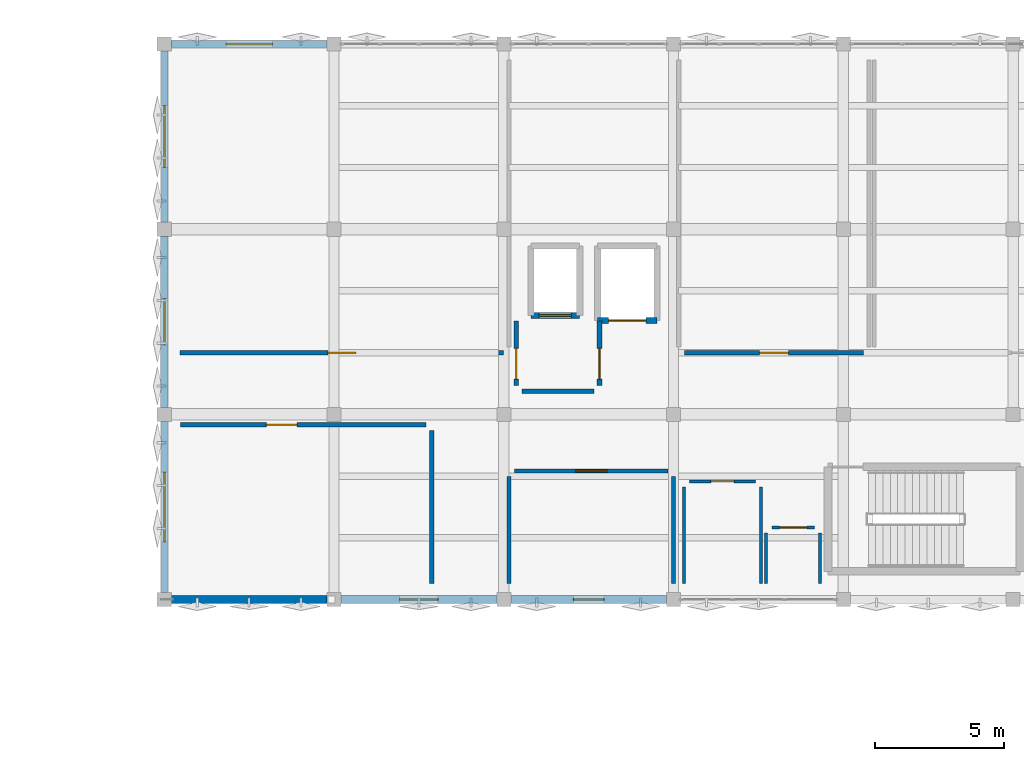
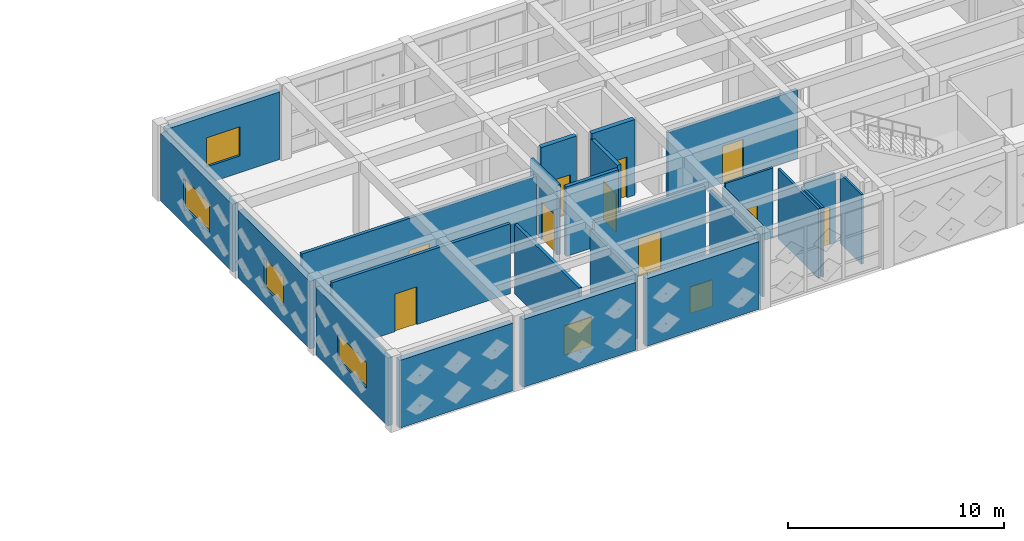
# One storey, part 29 of 36: 25 walls, 10 doors, 6 windows, 16 openings.
"""IFC4 building model written with IfcOpenShell, lengths in metres."""

from ifc_helpers import new_model, si_unit, direction, frame, frame_2d, origin, place, context, subcontext, project, spatial, rectangle, extrude, material, layer, layer_set, type_object, element, fill, save


model = new_model("IFC4")

# Units and contexts
model_context = context("Model", 3, precision=1e-05, world=origin(), true_north=direction((0.0, 1.0)))
body_context = subcontext(model_context, "Body", "Model", "MODEL_VIEW")
ifc_project = project(units=[si_unit("LENGTHUNIT", "METRE"), si_unit("AREAUNIT", "SQUARE_METRE"), si_unit("VOLUMEUNIT", "CUBIC_METRE"), si_unit("PLANEANGLEUNIT", "RADIAN"), si_unit("MASSUNIT", "GRAM", prefix="KILO")], contexts=[model_context])

# Site, building, storey
site_placement = place(None, origin())
site = spatial("IfcSite", under=ifc_project, at=site_placement, CompositionType="ELEMENT")
building_placement = place(site_placement, origin())
building = spatial("IfcBuilding", under=site, at=building_placement, Name="Kharisveld Research Institute", CompositionType="ELEMENT")
storey_placement = place(building_placement, frame((0.0, 0.0, 27.60009765625)))
storey = spatial("IfcBuildingStorey", under=building, at=storey_placement, Name="L06", CompositionType="ELEMENT", Elevation=27.60009765625)

# Wall, opening, door
ifc_material_1 = material(Name="Concrete C40/50", Category="concrete")
ifc_layer_1 = layer(ifc_material_1, 0.239990234375)
ifc_layer_set_1 = layer_set([ifc_layer_1], Name="WL_CORE_240")
wall_type_1 = type_object("IfcWallType", Name="WL_CORE_240", PredefinedType="SHEAR", material=ifc_layer_set_1)
wall_1_placement = place(storey_placement, frame((137.35009765625, 50.25, 0.0), z_axis=(0.0, 0.0, 1.0), x_axis=(-1.0, 0.0, 0.0)))
wall_1 = element("IfcWall", 1, at=wall_1_placement, inside=storey, type_object=wall_type_1, Name="WL:LFT:FFL-02:L06:S", PredefinedType="SHEAR", context=body_context, shape_type="SweptSolid", body=[
    extrude(rectangle(XDim=1.900146484375, YDim=0.239990234375, at=frame_2d((0.9501953125, 0.0))), origin(), (0.0, 0.0, 1.0), 4.27978515625),
])
opening_1_placement = place(wall_1_placement, frame((0.324951171875, 0.0, 0.0)))
opening_1 = element("IfcOpeningElement", 2, at=opening_1_placement, cuts=wall_1, Name="Opening LD-02", PredefinedType="OPENING", context=body_context, shape_type="SweptSolid", body=[
    extrude(rectangle(XDim=1.25, YDim=2.199951171875, at=frame_2d((0.625, 1.10009765625))), frame((0.0, 0.1201171875, 0.0), z_axis=(0.0, -1.0, 0.0), x_axis=(1.0, 0.0, 0.0)), (0.0, 0.0, 1.0), 0.239990234375),
])
ifc_material_2 = material(Name="Flush Painted Hardwood and Anodised Aluminium", Category="wood")
door_type_1 = type_object("IfcDoorType", Name="DR_LFT_125", OperationType="SLIDING_TO_RIGHT", PredefinedType="DOOR", material=ifc_material_2)
door_1_placement = place(opening_1_placement, origin())
door_1 = element("IfcDoor", 3, at=door_1_placement, inside=storey, type_object=door_type_1, Name="FFL-02 Lift Landing Door L06", OperationType="SLIDING_TO_RIGHT", OverallHeight=2.199951171875, OverallWidth=1.25, PredefinedType="DOOR", context=body_context, shape_type="SweptSolid", body=[
    extrude(rectangle(XDim=1.25, YDim=2.199951171875, at=frame_2d((0.625, 1.10009765625))), frame((0.0, 0.02490234375, 0.0), z_axis=(0.0, -1.0, 0.0), x_axis=(1.0, 0.0, 0.0)), (0.0, 0.0, 1.0), 0.050048828125),
])
fill(opening_1, door_1)

wall_2_placement = place(storey_placement, frame((140.35009765625, 50.050048828125, 0.0), z_axis=(0.0, 0.0, 1.0), x_axis=(-1.0, 0.0, 0.0)))
wall_2 = element("IfcWall", 4, at=wall_2_placement, inside=storey, type_object=wall_type_1, Name="WL:LFT:GL-01:L06:S", PredefinedType="SHEAR", context=body_context, shape_type="SweptSolid", body=[
    extrude(rectangle(XDim=2.300048828125, YDim=0.239990234375, at=frame_2d((1.14990234375, 0.0))), origin(), (0.0, 0.0, 1.0), 4.27978515625),
])
opening_2_placement = place(wall_2_placement, frame((0.425048828125, 0.0, 0.0)))
opening_2 = element("IfcOpeningElement", 5, at=opening_2_placement, cuts=wall_2, Name="Opening LD-03", PredefinedType="OPENING", context=body_context, shape_type="SweptSolid", body=[
    extrude(rectangle(XDim=1.449951171875, YDim=2.300048828125, at=frame_2d((0.72509765625, 1.14990234375))), frame((0.0, 0.1201171875, 0.0), z_axis=(0.0, -1.0, 0.0), x_axis=(1.0, 0.0, 0.0)), (0.0, 0.0, 1.0), 0.239990234375),
])
ifc_material_3 = material(Name="Flush Painted Hardwood and Anodised Aluminium", Category="wood")
door_type_2 = type_object("IfcDoorType", Name="DR_LFT_145", OperationType="DOUBLE_DOOR_SLIDING", PredefinedType="DOOR", material=ifc_material_3)
door_2_placement = place(opening_2_placement, origin())
door_2 = element("IfcDoor", 6, at=door_2_placement, inside=storey, type_object=door_type_2, Name="GL-01 Lift Landing Door L06", OperationType="DOUBLE_DOOR_SLIDING", OverallHeight=2.300048828125, OverallWidth=1.449951171875, PredefinedType="DOOR", context=body_context, shape_type="SweptSolid", body=[
    extrude(rectangle(XDim=1.449951171875, YDim=2.300048828125, at=frame_2d((0.72509765625, 1.14990234375))), frame((0.0, 0.02490234375, 0.0), z_axis=(0.0, -1.0, 0.0), x_axis=(1.0, 0.0, 0.0)), (0.0, 0.0, 1.0), 0.050048828125),
])
fill(opening_2, door_2)

# Wall, opening, window
ifc_material_4 = material(Name="Lightweight Acoustic Spandrel", Category="mineral")
ifc_layer_2 = layer(ifc_material_4, 0.2451171875)
ifc_layer_set_2 = layer_set([ifc_layer_2], Name="WL_EXT_245")
wall_type_2 = type_object("IfcWallType", Name="WL_EXT_245", PredefinedType="STANDARD", material=ifc_layer_set_2)
wall_3_placement = place(storey_placement, frame((121.199951171875, 39.469970703125, 0.0), z_axis=(0.0, 0.0, 1.0), x_axis=(0.0, 1.0, 0.0)))
wall_3 = element("IfcWall", 7, at=wall_3_placement, inside=storey, type_object=wall_type_2, Name="WL:V2:L06:W0", PredefinedType="STANDARD", context=body_context, shape_type="SweptSolid", body=[
    extrude(rectangle(XDim=6.659912109375, YDim=0.2451171875, at=frame_2d((3.330078125, 0.0))), origin(), (0.0, 0.0, 1.0), 3.8349609375),
])
opening_3_placement = place(wall_3_placement, frame((1.969970703125, 0.0, 0.949951171875)))
opening_3 = element("IfcOpeningElement", 8, at=opening_3_placement, cuts=wall_3, Name="Opening WN-38", PredefinedType="OPENING", context=body_context, shape_type="SweptSolid", body=[
    extrude(rectangle(XDim=2.719970703125, YDim=1.43994140625, at=frame_2d((1.35986328125, 0.719970703125))), frame((0.0, 0.12255859375, 0.0), z_axis=(0.0, -1.0, 0.0), x_axis=(1.0, 0.0, 0.0)), (0.0, 0.0, 1.0), 0.2451171875),
])
ifc_material_5 = material(Name="Low-E Double Glazing", Category="glass")
window_type_1 = type_object("IfcWindowType", Name="WN_38", PartitioningType="DOUBLE_PANEL_VERTICAL", PredefinedType="WINDOW", material=ifc_material_5)
window_1_placement = place(opening_3_placement, origin())
window_1 = element("IfcWindow", 9, at=window_1_placement, inside=storey, type_object=window_type_1, Name="WN:V2:L06:W0", OverallHeight=1.43994140625, OverallWidth=2.719970703125, PartitioningType="SINGLE_PANEL", PredefinedType="WINDOW", context=body_context, shape_type="SweptSolid", body=[
    extrude(rectangle(XDim=2.719970703125, YDim=1.43994140625, at=frame_2d((1.35986328125, 0.719970703125))), frame((0.0, 0.030029296875, 0.0), z_axis=(0.0, -1.0, 0.0), x_axis=(1.0, 0.0, 0.0)), (0.0, 0.0, 1.0), 0.06005859375),
])
fill(opening_3, window_1)

ifc_material_6 = material(Name="Precast Concrete C40/50 Thermal Wall", Category="concrete")
ifc_layer_3 = layer(ifc_material_6, 0.27490234375)
ifc_layer_set_3 = layer_set([ifc_layer_3], Name="WL_EXT_275")
wall_type_3 = type_object("IfcWallType", Name="WL_EXT_275", PredefinedType="STANDARD", material=ifc_layer_set_3)
wall_4_placement = place(storey_placement, frame((121.199951171875, 53.8701171875, 0.0), z_axis=(0.0, 0.0, 1.0), x_axis=(0.0, 1.0, 0.0)))
wall_4 = element("IfcWall", 10, at=wall_4_placement, inside=storey, type_object=wall_type_3, Name="WL:V2:L06:W2", PredefinedType="STANDARD", context=body_context, shape_type="SweptSolid", body=[
    extrude(rectangle(XDim=6.659912109375, YDim=0.27490234375, at=frame_2d((3.330078125, 0.0))), origin(), (0.0, 0.0, 1.0), 3.8349609375),
])
opening_4_placement = place(wall_4_placement, frame((2.1298828125, 0.0, 0.949951171875)))
opening_4 = element("IfcOpeningElement", 11, at=opening_4_placement, cuts=wall_4, Name="Opening WN-02", PredefinedType="OPENING", context=body_context, shape_type="SweptSolid", body=[
    extrude(rectangle(XDim=2.39990234375, YDim=1.64990234375, at=frame_2d((1.199951171875, 0.824951171875))), frame((0.0, 0.137451171875, 0.0), z_axis=(0.0, -1.0, 0.0), x_axis=(1.0, 0.0, 0.0)), (0.0, 0.0, 1.0), 0.27490234375),
])
ifc_material_7 = material(Name="Low-E Double Glazing", Category="glass")
window_type_2 = type_object("IfcWindowType", Name="WN_02", PartitioningType="TRIPLE_PANEL_VERTICAL", PredefinedType="WINDOW", material=ifc_material_7)
window_2_placement = place(opening_4_placement, origin())
window_2 = element("IfcWindow", 12, at=window_2_placement, inside=storey, type_object=window_type_2, Name="WN:V2:L06:W2", OverallHeight=1.64990234375, OverallWidth=2.39990234375, PartitioningType="SINGLE_PANEL", PredefinedType="WINDOW", context=body_context, shape_type="SweptSolid", body=[
    extrude(rectangle(XDim=2.39990234375, YDim=1.64990234375, at=frame_2d((1.199951171875, 0.824951171875))), frame((0.0, 0.030029296875, 0.0), z_axis=(0.0, -1.0, 0.0), x_axis=(1.0, 0.0, 0.0)), (0.0, 0.0, 1.0), 0.06005859375),
])
fill(opening_4, window_2)

ifc_material_8 = material(Name="Precast Concrete C40/50 Thermal Wall", Category="concrete")
ifc_layer_4 = layer(ifc_material_8, 0.2900390625)
ifc_layer_set_4 = layer_set([ifc_layer_4], Name="WL_EXT_290")
wall_type_4 = type_object("IfcWallType", Name="WL_EXT_290", PredefinedType="STANDARD", material=ifc_layer_set_4)
wall_5_placement = place(storey_placement, frame((121.199951171875, 46.669921875, 0.0), z_axis=(0.0, 0.0, 1.0), x_axis=(0.0, 1.0, 0.0)))
wall_5 = element("IfcWall", 13, at=wall_5_placement, inside=storey, type_object=wall_type_4, Name="WL:V2:L06:W1", PredefinedType="STANDARD", context=body_context, shape_type="SweptSolid", body=[
    extrude(rectangle(XDim=6.66015625, YDim=0.2900390625, at=frame_2d((3.330078125, 0.0))), origin(), (0.0, 0.0, 1.0), 3.8349609375),
])
opening_5_placement = place(wall_5_placement, frame((2.429931640625, 0.0, 0.949951171875)))
opening_5 = element("IfcOpeningElement", 14, at=opening_5_placement, cuts=wall_5, Name="Opening WN-01", PredefinedType="OPENING", context=body_context, shape_type="SweptSolid", body=[
    extrude(rectangle(XDim=1.800048828125, YDim=1.64990234375, at=frame_2d((0.89990234375, 0.824951171875))), frame((0.0, 0.14501953125, 0.0), z_axis=(0.0, -1.0, 0.0), x_axis=(1.0, 0.0, 0.0)), (0.0, 0.0, 1.0), 0.2900390625),
])
ifc_material_9 = material(Name="Low-E Double Glazing", Category="glass")
window_type_3 = type_object("IfcWindowType", Name="WN_01", PartitioningType="DOUBLE_PANEL_VERTICAL", PredefinedType="WINDOW", material=ifc_material_9)
window_3_placement = place(opening_5_placement, origin())
window_3 = element("IfcWindow", 15, at=window_3_placement, inside=storey, type_object=window_type_3, Name="WN:V2:L06:W1", OverallHeight=1.64990234375, OverallWidth=1.800048828125, PartitioningType="SINGLE_PANEL", PredefinedType="WINDOW", context=body_context, shape_type="SweptSolid", body=[
    extrude(rectangle(XDim=1.800048828125, YDim=1.64990234375, at=frame_2d((0.89990234375, 0.824951171875))), frame((0.0, 0.030029296875, 0.0), z_axis=(0.0, -1.0, 0.0), x_axis=(1.0, 0.0, 0.0)), (0.0, 0.0, 1.0), 0.06005859375),
])
fill(opening_5, window_3)

wall_6_placement = place(storey_placement, frame((121.469970703125, 60.800048828125, 0.0), z_axis=(0.0, 0.0, 1.0), x_axis=(1.0, 0.0, 0.0)))
wall_6 = element("IfcWall", 16, at=wall_6_placement, inside=storey, type_object=wall_type_4, Name="WL:V2:L06:N1", PredefinedType="STANDARD", context=body_context, shape_type="SweptSolid", body=[
    extrude(rectangle(XDim=6.06005859375, YDim=0.2900390625, at=frame_2d((3.030029296875, 0.0))), origin(), (0.0, 0.0, 1.0), 3.8349609375),
])
opening_6_placement = place(wall_6_placement, frame((2.1298828125, 0.0, 0.949951171875)))
opening_6 = element("IfcOpeningElement", 17, at=opening_6_placement, cuts=wall_6, Name="Opening WN-01", PredefinedType="OPENING", context=body_context, shape_type="SweptSolid", body=[
    extrude(rectangle(XDim=1.800048828125, YDim=1.64990234375, at=frame_2d((0.89990234375, 0.824951171875))), frame((0.0, 0.14501953125, 0.0), z_axis=(0.0, -1.0, 0.0), x_axis=(1.0, 0.0, 0.0)), (0.0, 0.0, 1.0), 0.2900390625),
])
window_4_placement = place(opening_6_placement, origin())
window_4 = element("IfcWindow", 18, at=window_4_placement, inside=storey, type_object=window_type_3, Name="WN:V2:L06:N1", OverallHeight=1.64990234375, OverallWidth=1.800048828125, PartitioningType="SINGLE_PANEL", PredefinedType="WINDOW", context=body_context, shape_type="SweptSolid", body=[
    extrude(rectangle(XDim=1.800048828125, YDim=1.64990234375, at=frame_2d((0.89990234375, 0.824951171875))), frame((0.0, 0.030029296875, 0.0), z_axis=(0.0, -1.0, 0.0), x_axis=(1.0, 0.0, 0.0)), (0.0, 0.0, 1.0), 0.06005859375),
])
fill(opening_6, window_4)

ifc_material_10 = material(Name="Precast Concrete C40/50 Ochre Panel", Category="concrete")
ifc_layer_5 = layer(ifc_material_10, 0.304931640625)
ifc_layer_set_5 = layer_set([ifc_layer_5], Name="WL_EXT_305")
wall_type_5 = type_object("IfcWallType", Name="WL_EXT_305", PredefinedType="STANDARD", material=ifc_layer_set_5)
wall_7_placement = place(storey_placement, frame((140.72998046875, 39.199951171875, 0.0), z_axis=(0.0, 0.0, 1.0), x_axis=(-1.0, 0.0, 0.0)))
wall_7 = element("IfcWall", 19, at=wall_7_placement, inside=storey, type_object=wall_type_5, Name="WL:V2:L06:S4", PredefinedType="STANDARD", context=body_context, shape_type="SweptSolid", body=[
    extrude(rectangle(XDim=6.06005859375, YDim=0.304931640625, at=frame_2d((3.030029296875, 0.0))), origin(), (0.0, 0.0, 1.0), 3.8349609375),
])
opening_7_placement = place(wall_7_placement, frame((2.429931640625, 0.0, 0.949951171875)))
opening_7 = element("IfcOpeningElement", 20, at=opening_7_placement, cuts=wall_7, Name="Opening WN-04", PredefinedType="OPENING", context=body_context, shape_type="SweptSolid", body=[
    extrude(rectangle(XDim=1.199951171875, YDim=1.5, at=frame_2d((0.60009765625, 0.75))), frame((0.0, 0.15234375, 0.0), z_axis=(0.0, -1.0, 0.0), x_axis=(1.0, 0.0, 0.0)), (0.0, 0.0, 1.0), 0.304931640625),
])
ifc_material_11 = material(Name="Low-E Double Glazing", Category="glass")
window_type_4 = type_object("IfcWindowType", Name="WN_04", PartitioningType="SINGLE_PANEL", PredefinedType="WINDOW", material=ifc_material_11)
window_5_placement = place(opening_7_placement, origin())
window_5 = element("IfcWindow", 21, at=window_5_placement, inside=storey, type_object=window_type_4, Name="WN:V2:L06:S4", OverallHeight=1.5, OverallWidth=1.199951171875, PartitioningType="SINGLE_PANEL", PredefinedType="WINDOW", context=body_context, shape_type="SweptSolid", body=[
    extrude(rectangle(XDim=1.199951171875, YDim=1.5, at=frame_2d((0.60009765625, 0.75))), frame((0.0, 0.030029296875, 0.0), z_axis=(0.0, -1.0, 0.0), x_axis=(1.0, 0.0, 0.0)), (0.0, 0.0, 1.0), 0.06005859375),
])
fill(opening_7, window_5)

wall_8_placement = place(storey_placement, frame((134.1298828125, 39.199951171875, 0.0), z_axis=(0.0, 0.0, 1.0), x_axis=(-1.0, 0.0, 0.0)))
wall_8 = element("IfcWall", 22, at=wall_8_placement, inside=storey, type_object=wall_type_5, Name="WL:V2:L06:S3", PredefinedType="STANDARD", context=body_context, shape_type="SweptSolid", body=[
    extrude(rectangle(XDim=6.059814453125, YDim=0.304931640625, at=frame_2d((3.02978515625, 0.0))), origin(), (0.0, 0.0, 1.0), 3.8349609375),
])
opening_8_placement = place(wall_8_placement, frame((2.280029296875, 0.0, 0.949951171875)))
opening_8 = element("IfcOpeningElement", 23, at=opening_8_placement, cuts=wall_8, Name="Opening WN-03", PredefinedType="OPENING", context=body_context, shape_type="SweptSolid", body=[
    extrude(rectangle(XDim=1.5, YDim=1.64990234375, at=frame_2d((0.75, 0.824951171875))), frame((0.0, 0.15234375, 0.0), z_axis=(0.0, -1.0, 0.0), x_axis=(1.0, 0.0, 0.0)), (0.0, 0.0, 1.0), 0.304931640625),
])
ifc_material_12 = material(Name="Low-E Double Glazing", Category="glass")
window_type_5 = type_object("IfcWindowType", Name="WN_03", PartitioningType="DOUBLE_PANEL_VERTICAL", PredefinedType="WINDOW", material=ifc_material_12)
window_6_placement = place(opening_8_placement, origin())
window_6 = element("IfcWindow", 24, at=window_6_placement, inside=storey, type_object=window_type_5, Name="WN:V2:L06:S3", OverallHeight=1.64990234375, OverallWidth=1.5, PartitioningType="SINGLE_PANEL", PredefinedType="WINDOW", context=body_context, shape_type="SweptSolid", body=[
    extrude(rectangle(XDim=1.5, YDim=1.64990234375, at=frame_2d((0.75, 0.824951171875))), frame((0.0, 0.030029296875, 0.0), z_axis=(0.0, -1.0, 0.0), x_axis=(1.0, 0.0, 0.0)), (0.0, 0.0, 1.0), 0.06005859375),
])
fill(opening_8, window_6)

# Wall
wall_9_placement = place(storey_placement, frame((127.530029296875, 39.199951171875, 0.0), z_axis=(0.0, 0.0, 1.0), x_axis=(-1.0, 0.0, 0.0)))
element("IfcWall", 25, at=wall_9_placement, inside=storey, type_object=wall_type_5, Name="WL:V2:L06:S2", PredefinedType="STANDARD", context=body_context, shape_type="SweptSolid", body=[
    extrude(rectangle(XDim=6.06005859375, YDim=0.304931640625, at=frame_2d((3.030029296875, 0.0))), origin(), (0.0, 0.0, 1.0), 3.8349609375),
])

# Wall, opening, door
ifc_material_13 = material(Name="Acoustic Drywall Partition", Category="mineral")
ifc_layer_6 = layer(ifc_material_13, 0.1650390625)
ifc_layer_set_6 = layer_set([ifc_layer_6], Name="WL_LAB_165")
wall_type_6 = type_object("IfcWallType", Name="WL_LAB_165", PredefinedType="PARTITIONING", material=ifc_layer_set_6)
wall_10_placement = place(storey_placement, frame((121.820068359375, 48.800048828125, 0.0), z_axis=(0.0, 0.0, 1.0), x_axis=(1.0, 0.0, 0.0)))
wall_10 = element("IfcWall", 26, at=wall_10_placement, inside=storey, type_object=wall_type_6, Name="WL:RM:V2:L06:WLA:S", PredefinedType="PARTITIONING", context=body_context, shape_type="SweptSolid", body=[
    extrude(rectangle(XDim=12.559814453125, YDim=0.1650390625, at=frame_2d((6.27978515625, 0.0))), origin(), (0.0, 0.0, 1.0), 3.885009765625),
])
opening_9_placement = place(wall_10_placement, frame((5.735107421875, 0.0, 0.0)))
opening_9 = element("IfcOpeningElement", 27, at=opening_9_placement, cuts=wall_10, Name="Opening DI-247", PredefinedType="OPENING", context=body_context, shape_type="SweptSolid", body=[
    extrude(rectangle(XDim=1.090087890625, YDim=2.080078125, at=frame_2d((0.544921875, 1.0400390625))), frame((0.0, 0.08251953125, 0.0), z_axis=(0.0, -1.0, 0.0), x_axis=(1.0, 0.0, 0.0)), (0.0, 0.0, 1.0), 0.1650390625),
])
ifc_material_14 = material(Name="Flush Painted Hardwood and Anodised Aluminium", Category="wood")
door_type_3 = type_object("IfcDoorType", Name="DR_VAR_07", OperationType="NOTDEFINED", PredefinedType="DOOR", material=ifc_material_14)
door_3_placement = place(opening_9_placement, origin())
door_3 = element("IfcDoor", 28, at=door_3_placement, inside=storey, type_object=door_type_3, Name="DR:RM:V2:L06:WLA:S", OperationType="SINGLE_SWING_LEFT", OverallHeight=2.080078125, OverallWidth=1.090087890625, PredefinedType="DOOR", context=body_context, shape_type="SweptSolid", body=[
    extrude(rectangle(XDim=1.090087890625, YDim=2.080078125, at=frame_2d((0.544921875, 1.0400390625))), frame((0.0, 0.02490234375, 0.0), z_axis=(0.0, -1.0, 0.0), x_axis=(1.0, 0.0, 0.0)), (0.0, 0.0, 1.0), 0.050048828125),
])
fill(opening_9, door_3)

wall_11_placement = place(storey_placement, frame((141.419921875, 48.800048828125, 0.0), z_axis=(0.0, 0.0, 1.0), x_axis=(1.0, 0.0, 0.0)))
wall_11 = element("IfcWall", 29, at=wall_11_placement, inside=storey, type_object=wall_type_6, Name="WL:RM:V2:L06:WLB:S", PredefinedType="PARTITIONING", context=body_context, shape_type="SweptSolid", body=[
    extrude(rectangle(XDim=6.9599609375, YDim=0.1650390625, at=frame_2d((3.47998046875, 0.0))), origin(), (0.0, 0.0, 1.0), 3.885009765625),
])
opening_10_placement = place(wall_11_placement, frame((2.919921875, 0.0, 0.0)))
opening_10 = element("IfcOpeningElement", 30, at=opening_10_placement, cuts=wall_11, Name="Opening DI-248", PredefinedType="OPENING", context=body_context, shape_type="SweptSolid", body=[
    extrude(rectangle(XDim=1.1201171875, YDim=2.10009765625, at=frame_2d((0.56005859375, 1.050048828125))), frame((0.0, 0.08251953125, 0.0), z_axis=(0.0, -1.0, 0.0), x_axis=(1.0, 0.0, 0.0)), (0.0, 0.0, 1.0), 0.1650390625),
])
ifc_material_15 = material(Name="Flush Painted Hardwood and Anodised Aluminium", Category="wood")
door_type_4 = type_object("IfcDoorType", Name="DR_VAR_08", OperationType="NOTDEFINED", PredefinedType="DOOR", material=ifc_material_15)
door_4_placement = place(opening_10_placement, origin())
door_4 = element("IfcDoor", 31, at=door_4_placement, inside=storey, type_object=door_type_4, Name="DR:RM:V2:L06:WLB:S", OperationType="SINGLE_SWING_RIGHT", OverallHeight=2.10009765625, OverallWidth=1.1201171875, PredefinedType="DOOR", context=body_context, shape_type="SweptSolid", body=[
    extrude(rectangle(XDim=1.1201171875, YDim=2.10009765625, at=frame_2d((0.56005859375, 1.050048828125))), frame((0.0, 0.02490234375, 0.0), z_axis=(0.0, -1.0, 0.0), x_axis=(1.0, 0.0, 0.0)), (0.0, 0.0, 1.0), 0.050048828125),
])
fill(opening_10, door_4)

# Wall
wall_12_placement = place(storey_placement, frame((131.60009765625, 39.820068359375, 0.0), z_axis=(0.0, 0.0, 1.0), x_axis=(0.0, 1.0, 0.0)))
element("IfcWall", 32, at=wall_12_placement, inside=storey, type_object=wall_type_6, Name="WL:RM:V2:L06:WLC:E", PredefinedType="PARTITIONING", context=body_context, shape_type="SweptSolid", body=[
    extrude(rectangle(XDim=5.9599609375, YDim=0.1650390625, at=frame_2d((2.97998046875, 0.0))), origin(), (0.0, 0.0, 1.0), 3.949951171875),
])

# Wall, opening, door
wall_13_placement = place(storey_placement, frame((131.3798828125, 46.0, 0.0), z_axis=(0.0, 0.0, 1.0), x_axis=(-1.0, 0.0, 0.0)))
wall_13 = element("IfcWall", 33, at=wall_13_placement, inside=storey, type_object=wall_type_6, Name="WL:RM:V2:L06:WLC:N", PredefinedType="PARTITIONING", context=body_context, shape_type="SweptSolid", body=[
    extrude(rectangle(XDim=9.559814453125, YDim=0.1650390625, at=frame_2d((4.77978515625, 0.0))), origin(), (0.0, 0.0, 1.0), 3.949951171875),
])
opening_11_placement = place(wall_13_placement, frame((5.028076171875, 0.0, 0.0)))
opening_11 = element("IfcOpeningElement", 34, at=opening_11_placement, cuts=wall_13, Name="Opening DI-250", PredefinedType="OPENING", context=body_context, shape_type="SweptSolid", body=[
    extrude(rectangle(XDim=1.179931640625, YDim=2.139892578125, at=frame_2d((0.58984375, 1.06982421875))), frame((0.0, 0.08251953125, 0.0), z_axis=(0.0, -1.0, 0.0), x_axis=(1.0, 0.0, 0.0)), (0.0, 0.0, 1.0), 0.1650390625),
])
ifc_material_16 = material(Name="Flush Painted Hardwood and Anodised Aluminium", Category="wood")
door_type_5 = type_object("IfcDoorType", Name="DR_VAR_10", OperationType="NOTDEFINED", PredefinedType="DOOR", material=ifc_material_16)
door_5_placement = place(opening_11_placement, origin())
door_5 = element("IfcDoor", 35, at=door_5_placement, inside=storey, type_object=door_type_5, Name="DR:RM:V2:L06:WLC:N", OperationType="SINGLE_SWING_RIGHT", OverallHeight=2.139892578125, OverallWidth=1.179931640625, PredefinedType="DOOR", context=body_context, shape_type="SweptSolid", body=[
    extrude(rectangle(XDim=1.179931640625, YDim=2.139892578125, at=frame_2d((0.58984375, 1.06982421875))), frame((0.0, 0.02490234375, 0.0), z_axis=(0.0, -1.0, 0.0), x_axis=(1.0, 0.0, 0.0)), (0.0, 0.0, 1.0), 0.050048828125),
])
fill(opening_11, door_5)

# Wall
wall_14_placement = place(storey_placement, frame((141.0, 39.820068359375, 0.0), z_axis=(0.0, 0.0, 1.0), x_axis=(0.0, 1.0, 0.0)))
element("IfcWall", 36, at=wall_14_placement, inside=storey, type_object=wall_type_6, Name="WL:RM:V2:L06:WLE:E", PredefinedType="PARTITIONING", context=body_context, shape_type="SweptSolid", body=[
    extrude(rectangle(XDim=4.159912109375, YDim=0.1650390625, at=frame_2d((2.080078125, 0.0))), origin(), (0.0, 0.0, 1.0), 3.684814453125),
])

# Wall, opening, door
wall_15_placement = place(storey_placement, frame((140.780029296875, 44.199951171875, 0.0), z_axis=(0.0, 0.0, 1.0), x_axis=(-1.0, 0.0, 0.0)))
wall_15 = element("IfcWall", 37, at=wall_15_placement, inside=storey, type_object=wall_type_6, Name="WL:RM:V2:L06:WLE:N", PredefinedType="PARTITIONING", context=body_context, shape_type="SweptSolid", body=[
    extrude(rectangle(XDim=5.9599609375, YDim=0.1650390625, at=frame_2d((2.97998046875, 0.0))), origin(), (0.0, 0.0, 1.0), 3.885009765625),
])
opening_12_placement = place(wall_15_placement, frame((2.375, 0.0, 0.0)))
opening_12 = element("IfcOpeningElement", 38, at=opening_12_placement, cuts=wall_15, Name="Opening DI-251", PredefinedType="OPENING", context=body_context, shape_type="SweptSolid", body=[
    extrude(rectangle(XDim=1.2099609375, YDim=2.159912109375, at=frame_2d((0.60498046875, 1.080078125))), frame((0.0, 0.08251953125, 0.0), z_axis=(0.0, -1.0, 0.0), x_axis=(1.0, 0.0, 0.0)), (0.0, 0.0, 1.0), 0.1650390625),
])
ifc_material_17 = material(Name="Flush Painted Hardwood and Anodised Aluminium", Category="wood")
door_type_6 = type_object("IfcDoorType", Name="DR_VAR_11", OperationType="NOTDEFINED", PredefinedType="DOOR", material=ifc_material_17)
door_6_placement = place(opening_12_placement, origin())
door_6 = element("IfcDoor", 39, at=door_6_placement, inside=storey, type_object=door_type_6, Name="DR:RM:V2:L06:WLE:N", OperationType="SINGLE_SWING_LEFT", OverallHeight=2.159912109375, OverallWidth=1.2099609375, PredefinedType="DOOR", context=body_context, shape_type="SweptSolid", body=[
    extrude(rectangle(XDim=1.2099609375, YDim=2.159912109375, at=frame_2d((0.60498046875, 1.080078125))), frame((0.0, 0.02490234375, 0.0), z_axis=(0.0, -1.0, 0.0), x_axis=(1.0, 0.0, 0.0)), (0.0, 0.0, 1.0), 0.050048828125),
])
fill(opening_12, door_6)

# Walls
wall_16_placement = place(storey_placement, frame((134.60009765625, 43.97998046875, 0.0), z_axis=(0.0, 0.0, 1.0), x_axis=(0.0, -1.0, 0.0)))
element("IfcWall", 40, at=wall_16_placement, inside=storey, type_object=wall_type_6, Name="WL:RM:V2:L06:WLE:W", PredefinedType="PARTITIONING", context=body_context, shape_type="SweptSolid", body=[
    extrude(rectangle(XDim=4.159912109375, YDim=0.1650390625, at=frame_2d((2.080078125, 0.0))), origin(), (0.0, 0.0, 1.0), 3.684814453125),
])
ifc_material_18 = material(Name="Masonry Blockwork", Category="masonry")
ifc_layer_7 = layer(ifc_material_18, 0.18505859375)
ifc_layer_set_7 = layer_set([ifc_layer_7], Name="WL_LOB_185")
wall_type_7 = type_object("IfcWallType", Name="WL_LOB_185", PredefinedType="SOLIDWALL", material=ifc_layer_set_7)
wall_17_placement = place(storey_placement, frame((135.10009765625, 47.300048828125, 0.0), z_axis=(0.0, 0.0, 1.0), x_axis=(1.0, 0.0, 0.0)))
element("IfcWall", 41, at=wall_17_placement, inside=storey, type_object=wall_type_7, Name="WL:RM:V2:L06:FFL:S", PredefinedType="SOLIDWALL", context=body_context, shape_type="SweptSolid", body=[
    extrude(rectangle(XDim=2.7998046875, YDim=0.18505859375, at=frame_2d((1.39990234375, 0.0))), origin(), (0.0, 0.0, 1.0), 3.949951171875),
])

# Wall, opening, door
wall_18_placement = place(storey_placement, frame((138.1201171875, 47.52001953125, 0.0), z_axis=(0.0, 0.0, 1.0), x_axis=(0.0, 1.0, 0.0)))
wall_18 = element("IfcWall", 42, at=wall_18_placement, inside=storey, type_object=wall_type_7, Name="WL:RM:V2:L06:FFL:E", PredefinedType="SOLIDWALL", context=body_context, shape_type="SweptSolid", body=[
    extrude(rectangle(XDim=2.510009765625, YDim=0.18505859375, at=frame_2d((1.2548828125, 0.0))), origin(), (0.0, 0.0, 1.0), 3.949951171875),
])
opening_13_placement = place(wall_18_placement, frame((0.25, 0.0, 0.0)))
opening_13 = element("IfcOpeningElement", 43, at=opening_13_placement, cuts=wall_18, Name="Opening DI-243", PredefinedType="OPENING", context=body_context, shape_type="SweptSolid", body=[
    extrude(rectangle(XDim=1.199951171875, YDim=2.14990234375, at=frame_2d((0.60009765625, 1.074951171875))), frame((0.0, 0.092529296875, 0.0), z_axis=(0.0, -1.0, 0.0), x_axis=(1.0, 0.0, 0.0)), (0.0, 0.0, 1.0), 0.18505859375),
])
ifc_material_19 = material(Name="Flush Painted Hardwood and Anodised Aluminium", Category="wood")
door_type_7 = type_object("IfcDoorType", Name="DR_FD120_120", OperationType="NOTDEFINED", PredefinedType="DOOR", material=ifc_material_19)
door_7_placement = place(opening_13_placement, origin())
door_7 = element("IfcDoor", 44, at=door_7_placement, inside=storey, type_object=door_type_7, Name="DR:RM:V2:L06:FFL:E", OperationType="SINGLE_SWING_LEFT", OverallHeight=2.14990234375, OverallWidth=1.199951171875, PredefinedType="DOOR", context=body_context, shape_type="SweptSolid", body=[
    extrude(rectangle(XDim=1.199951171875, YDim=2.14990234375, at=frame_2d((0.60009765625, 1.074951171875))), frame((0.0, 0.02490234375, 0.0), z_axis=(0.0, -1.0, 0.0), x_axis=(1.0, 0.0, 0.0)), (0.0, 0.0, 1.0), 0.050048828125),
])
fill(opening_13, door_7)

wall_19_placement = place(storey_placement, frame((134.8798828125, 50.030029296875, 0.0), z_axis=(0.0, 0.0, 1.0), x_axis=(0.0, -1.0, 0.0)))
wall_19 = element("IfcWall", 45, at=wall_19_placement, inside=storey, type_object=wall_type_7, Name="WL:RM:V2:L06:FFL:W", PredefinedType="SOLIDWALL", context=body_context, shape_type="SweptSolid", body=[
    extrude(rectangle(XDim=2.510009765625, YDim=0.18505859375, at=frame_2d((1.2548828125, 0.0))), origin(), (0.0, 0.0, 1.0), 3.949951171875),
])
opening_14_placement = place(wall_19_placement, frame((1.06005859375, 0.0, 0.0)))
opening_14 = element("IfcOpeningElement", 46, at=opening_14_placement, cuts=wall_19, Name="Opening DI-244", PredefinedType="OPENING", context=body_context, shape_type="SweptSolid", body=[
    extrude(rectangle(XDim=1.199951171875, YDim=2.14990234375, at=frame_2d((0.60009765625, 1.074951171875))), frame((0.0, 0.092529296875, 0.0), z_axis=(0.0, -1.0, 0.0), x_axis=(1.0, 0.0, 0.0)), (0.0, 0.0, 1.0), 0.18505859375),
])
door_8_placement = place(opening_14_placement, origin())
door_8 = element("IfcDoor", 47, at=door_8_placement, inside=storey, type_object=door_type_7, Name="DR:RM:V2:L06:FFL:W", OperationType="SINGLE_SWING_RIGHT", OverallHeight=2.14990234375, OverallWidth=1.199951171875, PredefinedType="DOOR", context=body_context, shape_type="SweptSolid", body=[
    extrude(rectangle(XDim=1.199951171875, YDim=2.14990234375, at=frame_2d((0.60009765625, 1.074951171875))), frame((0.0, 0.02490234375, 0.0), z_axis=(0.0, -1.0, 0.0), x_axis=(1.0, 0.0, 0.0)), (0.0, 0.0, 1.0), 0.050048828125),
])
fill(opening_14, door_8)

# Wall
ifc_material_20 = material(Name="Moisture-Resistant Partition", Category="mineral")
ifc_layer_8 = layer(ifc_material_20, 0.114990234375)
ifc_layer_set_8 = layer_set([ifc_layer_8], Name="WL_WC_115")
wall_type_8 = type_object("IfcWallType", Name="WL_WC_115", PredefinedType="PARTITIONING", material=ifc_layer_set_8)
wall_20_placement = place(storey_placement, frame((144.39990234375, 39.820068359375, 0.0), z_axis=(0.0, 0.0, 1.0), x_axis=(0.0, 1.0, 0.0)))
element("IfcWall", 48, at=wall_20_placement, inside=storey, type_object=wall_type_8, Name="WL:RM:V2:L06:WCM:E", PredefinedType="PARTITIONING", context=body_context, shape_type="SweptSolid", body=[
    extrude(rectangle(XDim=3.760009765625, YDim=0.114990234375, at=frame_2d((1.8798828125, 0.0))), origin(), (0.0, 0.0, 1.0), 3.949951171875),
])

# Wall, opening, door
wall_21_placement = place(storey_placement, frame((144.179931640625, 43.800048828125, 0.0), z_axis=(0.0, 0.0, 1.0), x_axis=(-1.0, 0.0, 0.0)))
wall_21 = element("IfcWall", 49, at=wall_21_placement, inside=storey, type_object=wall_type_8, Name="WL:RM:V2:L06:WCM:N", PredefinedType="PARTITIONING", context=body_context, shape_type="SweptSolid", body=[
    extrude(rectangle(XDim=2.559814453125, YDim=0.114990234375, at=frame_2d((1.27978515625, 0.0))), origin(), (0.0, 0.0, 1.0), 3.949951171875),
])
opening_15_placement = place(wall_21_placement, frame((0.830078125, 0.0, 0.0)))
opening_15 = element("IfcOpeningElement", 50, at=opening_15_placement, cuts=wall_21, Name="Opening DI-245", PredefinedType="OPENING", context=body_context, shape_type="SweptSolid", body=[
    extrude(rectangle(XDim=0.89990234375, YDim=2.10009765625, at=frame_2d((0.449951171875, 1.050048828125))), frame((0.0, 0.0576171875, 0.0), z_axis=(0.0, -1.0, 0.0), x_axis=(1.0, 0.0, 0.0)), (0.0, 0.0, 1.0), 0.114990234375),
])
ifc_material_21 = material(Name="Flush Painted Hardwood and Anodised Aluminium", Category="wood")
door_type_8 = type_object("IfcDoorType", Name="DR_WC_090", OperationType="NOTDEFINED", PredefinedType="DOOR", material=ifc_material_21)
door_9_placement = place(opening_15_placement, origin())
door_9 = element("IfcDoor", 51, at=door_9_placement, inside=storey, type_object=door_type_8, Name="DR:RM:V2:L06:WCM:N", OperationType="SINGLE_SWING_LEFT", OverallHeight=2.10009765625, OverallWidth=0.89990234375, PredefinedType="DOOR", context=body_context, shape_type="SweptSolid", body=[
    extrude(rectangle(XDim=0.89990234375, YDim=2.10009765625, at=frame_2d((0.449951171875, 1.050048828125))), frame((0.0, 0.02490234375, 0.0), z_axis=(0.0, -1.0, 0.0), x_axis=(1.0, 0.0, 0.0)), (0.0, 0.0, 1.0), 0.050048828125),
])
fill(opening_15, door_9)

# Walls
wall_22_placement = place(storey_placement, frame((141.39990234375, 43.580078125, 0.0), z_axis=(0.0, 0.0, 1.0), x_axis=(0.0, -1.0, 0.0)))
element("IfcWall", 52, at=wall_22_placement, inside=storey, type_object=wall_type_8, Name="WL:RM:V2:L06:WCM:W", PredefinedType="PARTITIONING", context=body_context, shape_type="SweptSolid", body=[
    extrude(rectangle(XDim=3.760009765625, YDim=0.114990234375, at=frame_2d((1.8798828125, 0.0))), origin(), (0.0, 0.0, 1.0), 3.949951171875),
])
wall_23_placement = place(storey_placement, frame((146.699951171875, 39.820068359375, 0.0), z_axis=(0.0, 0.0, 1.0), x_axis=(0.0, 1.0, 0.0)))
element("IfcWall", 53, at=wall_23_placement, inside=storey, type_object=wall_type_8, Name="WL:RM:V2:L06:WCA:E", PredefinedType="PARTITIONING", context=body_context, shape_type="SweptSolid", body=[
    extrude(rectangle(XDim=1.9599609375, YDim=0.114990234375, at=frame_2d((0.97998046875, 0.0))), origin(), (0.0, 0.0, 1.0), 3.949951171875),
])

# Wall, opening, door
wall_24_placement = place(storey_placement, frame((146.47998046875, 42.0, 0.0), z_axis=(0.0, 0.0, 1.0), x_axis=(-1.0, 0.0, 0.0)))
wall_24 = element("IfcWall", 54, at=wall_24_placement, inside=storey, type_object=wall_type_8, Name="WL:RM:V2:L06:WCA:N", PredefinedType="PARTITIONING", context=body_context, shape_type="SweptSolid", body=[
    extrude(rectangle(XDim=1.659912109375, YDim=0.114990234375, at=frame_2d((0.830078125, 0.0))), origin(), (0.0, 0.0, 1.0), 3.949951171875),
])
opening_16_placement = place(wall_24_placement, frame((0.300048828125, 0.0, 0.0)))
opening_16 = element("IfcOpeningElement", 55, at=opening_16_placement, cuts=wall_24, Name="Opening DI-246", PredefinedType="OPENING", context=body_context, shape_type="SweptSolid", body=[
    extrude(rectangle(XDim=1.06005859375, YDim=2.1201171875, at=frame_2d((0.530029296875, 1.06005859375))), frame((0.0, 0.0576171875, 0.0), z_axis=(0.0, -1.0, 0.0), x_axis=(1.0, 0.0, 0.0)), (0.0, 0.0, 1.0), 0.114990234375),
])
ifc_material_22 = material(Name="Flush Painted Hardwood and Anodised Aluminium", Category="wood")
door_type_9 = type_object("IfcDoorType", Name="DR_WCA_106", OperationType="NOTDEFINED", PredefinedType="DOOR", material=ifc_material_22)
door_10_placement = place(opening_16_placement, origin())
door_10 = element("IfcDoor", 56, at=door_10_placement, inside=storey, type_object=door_type_9, Name="DR:RM:V2:L06:WCA:N", OperationType="SINGLE_SWING_RIGHT", OverallHeight=2.1201171875, OverallWidth=1.06005859375, PredefinedType="DOOR", context=body_context, shape_type="SweptSolid", body=[
    extrude(rectangle(XDim=1.06005859375, YDim=2.1201171875, at=frame_2d((0.530029296875, 1.06005859375))), frame((0.0, 0.02490234375, 0.0), z_axis=(0.0, -1.0, 0.0), x_axis=(1.0, 0.0, 0.0)), (0.0, 0.0, 1.0), 0.050048828125),
])
fill(opening_16, door_10)

# Wall
wall_25_placement = place(storey_placement, frame((144.60009765625, 41.780029296875, 0.0), z_axis=(0.0, 0.0, 1.0), x_axis=(0.0, -1.0, 0.0)))
element("IfcWall", 57, at=wall_25_placement, inside=storey, type_object=wall_type_8, Name="WL:RM:V2:L06:WCA:W", PredefinedType="PARTITIONING", context=body_context, shape_type="SweptSolid", body=[
    extrude(rectangle(XDim=1.9599609375, YDim=0.114990234375, at=frame_2d((0.97998046875, 0.0))), origin(), (0.0, 0.0, 1.0), 3.949951171875),
])

save(model, "model.ifc")
